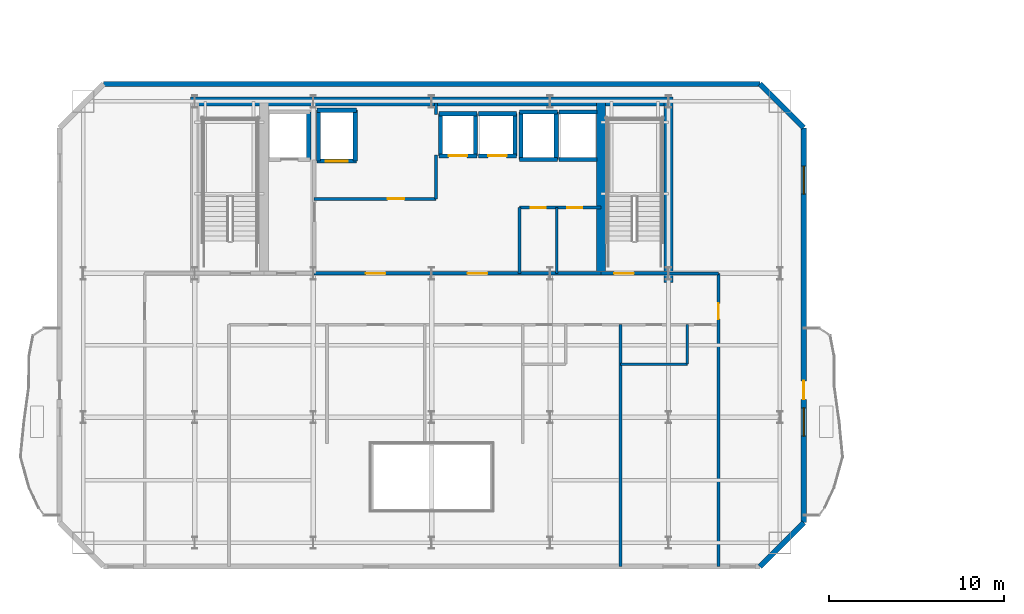
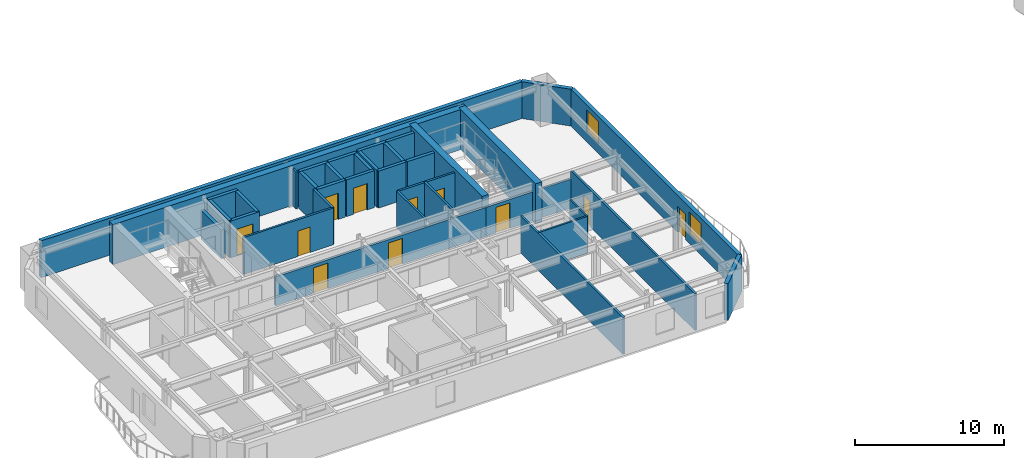
# One storey, part 6 of 13: 38 walls, 11 doors, 2 windows, 13 openings.
"""IFC4 building model written with IfcOpenShell, lengths in metres."""

from ifc_helpers import new_model, si_unit, direction, frame, frame_2d, origin, place, context, subcontext, project, spatial, rectangle, extrude, material, layer, layer_set, type_object, element, fill, save


model = new_model("IFC4")

# Units and contexts
model_context = context("Model", 3, precision=1e-05, world=origin(), true_north=direction((0.0, 1.0)))
body_context = subcontext(model_context, "Body", "Model", "MODEL_VIEW")
ifc_project = project(units=[si_unit("LENGTHUNIT", "METRE"), si_unit("AREAUNIT", "SQUARE_METRE"), si_unit("VOLUMEUNIT", "CUBIC_METRE"), si_unit("PLANEANGLEUNIT", "RADIAN"), si_unit("MASSUNIT", "GRAM", prefix="KILO")], contexts=[model_context])

# Site, building, storey
site_placement = place(None, origin())
site = spatial("IfcSite", under=ifc_project, at=site_placement, CompositionType="ELEMENT")
building_placement = place(site_placement, origin())
building = spatial("IfcBuilding", under=site, at=building_placement, Name="Haevon Station Towers", CompositionType="ELEMENT")
storey_placement = place(building_placement, frame((0.0, 0.0, 149.39990234375)))
storey = spatial("IfcBuildingStorey", under=building, at=storey_placement, Name="L40", CompositionType="ELEMENT", Elevation=149.39990234375)

# Wall, opening, door
ifc_material_1 = material(Name="Gypsum board on steel stud", Category="steel")
ifc_layer_1 = layer(ifc_material_1, 0.199951171875)
ifc_layer_set_1 = layer_set([ifc_layer_1], Name="Gypsum board on steel stud")
wall_type_1 = type_object("IfcWallType", Name="WL-COR200", PredefinedType="PARTITIONING", material=ifc_layer_set_1)
wall_1_placement = place(storey_placement, frame((47.14990234375, 38.199951171875, 0.0), z_axis=(0.0, 0.0, 1.0), x_axis=(1.0, 0.0, 0.0)))
wall_1 = element("IfcWall", 1, at=wall_1_placement, inside=storey, type_object=wall_type_1, Name="WL-ST-ST2-L40", PredefinedType="PARTITIONING", context=body_context, shape_type="SweptSolid", body=[
    extrude(rectangle(XDim=3.85009765625, YDim=0.199951171875, at=frame_2d((1.925048828125, 0.0))), origin(), (0.0, 0.0, 1.0), 2.380126953125),
])
opening_1_placement = place(wall_1_placement, frame((0.75, 0.0, 0.0)))
opening_1 = element("IfcOpeningElement", 2, at=opening_1_placement, cuts=wall_1, Name="Opening DR-ST-ST2-L40", PredefinedType="OPENING", context=body_context, shape_type="SweptSolid", body=[
    extrude(rectangle(XDim=1.1201171875, YDim=2.10009765625, at=frame_2d((0.56005859375, 1.050048828125))), frame((0.0, 0.10986328125, 0.0), z_axis=(0.0, -1.0, 0.0), x_axis=(1.0, 0.0, 0.0)), (0.0, 0.0, 1.0), 0.219970703125),
])
ifc_material_2 = material(Name="Engineered oak timber", Category="wood")
door_type_1 = type_object("IfcDoorType", Name="DR-ST-1120", OperationType="NOTDEFINED", PredefinedType="DOOR", material=ifc_material_2)
door_1_placement = place(opening_1_placement, origin())
door_1 = element("IfcDoor", 3, at=door_1_placement, inside=storey, type_object=door_type_1, Name="L40 Escape Stair ST2 Fire Door", OperationType="SINGLE_SWING_RIGHT", OverallHeight=2.10009765625, OverallWidth=1.1201171875, PredefinedType="DOOR", context=body_context, shape_type="SweptSolid", body=[
    extrude(rectangle(XDim=1.1201171875, YDim=2.10009765625, at=frame_2d((0.56005859375, 1.050048828125))), frame((0.0, 0.02490234375, 0.0), z_axis=(0.0, -1.0, 0.0), x_axis=(1.0, 0.0, 0.0)), (0.0, 0.0, 1.0), 0.050048828125),
])
fill(opening_1, door_1)

# Wall, openings, doors
wall_2_placement = place(storey_placement, frame((30.800048828125, 38.199951171875, 0.0), z_axis=(0.0, 0.0, 1.0), x_axis=(1.0, 0.0, 0.0)))
wall_2 = element("IfcWall", 4, at=wall_2_placement, inside=storey, type_object=wall_type_1, Name="WL-T1CLB-L40", PredefinedType="PARTITIONING", context=body_context, shape_type="SweptSolid", body=[
    extrude(rectangle(XDim=16.349853515625, YDim=0.199951171875, at=frame_2d((8.1748046875, 0.0))), origin(), (0.0, 0.0, 1.0), 2.380126953125),
])
opening_2_placement = place(wall_2_placement, frame((2.949951171875, 0.0, 0.0)))
opening_2 = element("IfcOpeningElement", 5, at=opening_2_placement, cuts=wall_2, Name="Opening DR-T1CLB-L40-1", PredefinedType="OPENING", context=body_context, shape_type="SweptSolid", body=[
    extrude(rectangle(XDim=1.1201171875, YDim=2.10009765625, at=frame_2d((0.56005859375, 1.050048828125))), frame((0.0, 0.10986328125, 0.0), z_axis=(0.0, -1.0, 0.0), x_axis=(1.0, 0.0, 0.0)), (0.0, 0.0, 1.0), 0.219970703125),
])
opening_3_placement = place(wall_2_placement, frame((8.75, 0.0, 0.0)))
opening_3 = element("IfcOpeningElement", 6, at=opening_3_placement, cuts=wall_2, Name="Opening DR-T1CLB-L40-2", PredefinedType="OPENING", context=body_context, shape_type="SweptSolid", body=[
    extrude(rectangle(XDim=1.1201171875, YDim=2.10009765625, at=frame_2d((0.56005859375, 1.050048828125))), frame((0.0, 0.10986328125, 0.0), z_axis=(0.0, -1.0, 0.0), x_axis=(1.0, 0.0, 0.0)), (0.0, 0.0, 1.0), 0.219970703125),
])
door_2_placement = place(opening_2_placement, origin())
door_2 = element("IfcDoor", 7, at=door_2_placement, inside=storey, type_object=door_type_1, Name="L40 Tower 1 Core Lift Lobby Door 1", OperationType="SINGLE_SWING_LEFT", OverallHeight=2.10009765625, OverallWidth=1.1201171875, PredefinedType="DOOR", context=body_context, shape_type="SweptSolid", body=[
    extrude(rectangle(XDim=1.1201171875, YDim=2.10009765625, at=frame_2d((0.56005859375, 1.050048828125))), frame((0.0, 0.02490234375, 0.0), z_axis=(0.0, -1.0, 0.0), x_axis=(1.0, 0.0, 0.0)), (0.0, 0.0, 1.0), 0.050048828125),
])
fill(opening_2, door_2)
door_3_placement = place(opening_3_placement, origin())
door_3 = element("IfcDoor", 8, at=door_3_placement, inside=storey, type_object=door_type_1, Name="L40 Tower 1 Core Lift Lobby Door 2", OperationType="SINGLE_SWING_RIGHT", OverallHeight=2.10009765625, OverallWidth=1.1201171875, PredefinedType="DOOR", context=body_context, shape_type="SweptSolid", body=[
    extrude(rectangle(XDim=1.1201171875, YDim=2.10009765625, at=frame_2d((0.56005859375, 1.050048828125))), frame((0.0, 0.02490234375, 0.0), z_axis=(0.0, -1.0, 0.0), x_axis=(1.0, 0.0, 0.0)), (0.0, 0.0, 1.0), 0.050048828125),
])
fill(opening_3, door_3)

# Walls
ifc_material_3 = material(Name="Concrete C60/75", Category="concrete")
ifc_layer_2 = layer(ifc_material_3, 0.5)
ifc_layer_set_2 = layer_set([ifc_layer_2], Name="Concrete C60/75")
wall_type_2 = type_object("IfcWallType", Name="WL-CR500", PredefinedType="SHEAR", material=ifc_layer_set_2)
wall_3_placement = place(storey_placement, frame((23.75, 48.0, 0.0), z_axis=(0.0, 0.0, 1.0), x_axis=(1.0, 0.0, 0.0)))
element("IfcWall", 9, at=wall_3_placement, inside=storey, type_object=wall_type_2, Name="WL-T1CR-L40-N", PredefinedType="SHEAR", context=body_context, shape_type="SweptSolid", body=[
    extrude(rectangle(XDim=27.5, YDim=0.5, at=frame_2d((13.75, 0.0))), origin(), (0.0, 0.0, 1.0), 3.300048828125),
])
wall_4_placement = place(storey_placement, frame((51.0, 37.679931640625, 0.0), z_axis=(0.0, 0.0, 1.0), x_axis=(0.0, 1.0, 0.0)))
element("IfcWall", 10, at=wall_4_placement, inside=storey, type_object=wall_type_2, Name="WL-T1CR-L40-E", PredefinedType="SHEAR", context=body_context, shape_type="SweptSolid", body=[
    extrude(rectangle(XDim=10.320068359375, YDim=0.5, at=frame_2d((5.16015625, 0.0))), origin(), (0.0, 0.0, 1.0), 3.300048828125),
])
wall_5_placement = place(storey_placement, frame((47.14990234375, 38.199951171875, 0.0), z_axis=(0.0, 0.0, 1.0), x_axis=(0.0, 1.0, 0.0)))
element("IfcWall", 11, at=wall_5_placement, inside=storey, type_object=wall_type_2, Name="WL-T1CR-L40-M2", PredefinedType="SHEAR", context=body_context, shape_type="SweptSolid", body=[
    extrude(rectangle(XDim=9.800048828125, YDim=0.5, at=frame_2d((4.89990234375, 0.0))), origin(), (0.0, 0.0, 1.0), 3.300048828125),
])
ifc_material_4 = material(Name="Precast concrete C45/55", Category="concrete")
ifc_layer_3 = layer(ifc_material_4, 0.300048828125)
ifc_layer_set_3 = layer_set([ifc_layer_3], Name="Precast concrete C45/55")
wall_type_3 = type_object("IfcWallType", Name="WL-EXT-PIER300", PredefinedType="SOLIDWALL", material=ifc_layer_set_3)
wall_6_placement = place(storey_placement, frame((18.800048828125, 49.0, 0.0), z_axis=(0.0, 0.0, 1.0), x_axis=(1.0, 0.0, 0.0)))
element("IfcWall", 12, at=wall_6_placement, inside=storey, type_object=wall_type_3, Name="WL-T1-L40-N", PredefinedType="SOLIDWALL", context=body_context, shape_type="SweptSolid", body=[
    extrude(rectangle(XDim=37.39990234375, YDim=0.300048828125, at=frame_2d((18.699951171875, 0.0))), origin(), (0.0, 0.0, 1.0), 3.030029296875),
])
wall_7_placement = place(storey_placement, frame((56.199951171875, 49.0, 0.0), z_axis=(0.0, 0.0, 1.0), x_axis=(0.707106781187, -0.707106781187, 0.0)))
element("IfcWall", 13, at=wall_7_placement, inside=storey, type_object=wall_type_3, Name="WL-T1-L40-NEC", PredefinedType="SOLIDWALL", context=body_context, shape_type="SweptSolid", body=[
    extrude(rectangle(XDim=3.53564453125, YDim=0.300048828125, at=frame_2d((1.767822265625, 0.0))), origin(), (0.0, 0.0, 1.0), 3.030029296875),
])

# Wall, openings, door, windows
wall_8_placement = place(storey_placement, frame((58.699951171875, 46.5, 0.0), z_axis=(0.0, 0.0, 1.0), x_axis=(0.0, -1.0, 0.0)))
wall_8 = element("IfcWall", 14, at=wall_8_placement, inside=storey, type_object=wall_type_3, Name="WL-T1-L40-E", PredefinedType="SOLIDWALL", context=body_context, shape_type="SweptSolid", body=[
    extrude(rectangle(XDim=22.5, YDim=0.300048828125, at=frame_2d((11.25, 0.0))), origin(), (0.0, 0.0, 1.0), 3.030029296875),
])
opening_4_placement = place(wall_8_placement, frame((14.425048828125, 0.0, 0.0)))
opening_4 = element("IfcOpeningElement", 15, at=opening_4_placement, cuts=wall_8, Name="Opening DR-T1-SCAL-L40-E", PredefinedType="OPENING", context=body_context, shape_type="SweptSolid", body=[
    extrude(rectangle(XDim=1.050048828125, YDim=2.10009765625, at=frame_2d((0.52490234375, 1.050048828125))), frame((0.0, 0.159912109375, 0.0), z_axis=(0.0, -1.0, 0.0), x_axis=(1.0, 0.0, 0.0)), (0.0, 0.0, 1.0), 0.320068359375),
])
opening_5_placement = place(wall_8_placement, frame((2.1787109375, 0.0, 0.800048828125)))
opening_5 = element("IfcOpeningElement", 16, at=opening_5_placement, cuts=wall_8, Name="Opening WN-END160", PredefinedType="OPENING", context=body_context, shape_type="SweptSolid", body=[
    extrude(rectangle(XDim=1.60009765625, YDim=1.800048828125, at=frame_2d((0.800048828125, 0.89990234375))), frame((0.0, 0.159912109375, 0.0), z_axis=(0.0, -1.0, 0.0), x_axis=(1.0, 0.0, 0.0)), (0.0, 0.0, 1.0), 0.320068359375),
])
opening_6_placement = place(wall_8_placement, frame((15.96435546875, 0.0, 0.800048828125)))
opening_6 = element("IfcOpeningElement", 17, at=opening_6_placement, cuts=wall_8, Name="Opening WN-END160", PredefinedType="OPENING", context=body_context, shape_type="SweptSolid", body=[
    extrude(rectangle(XDim=1.60009765625, YDim=1.800048828125, at=frame_2d((0.800048828125, 0.89990234375))), frame((0.0, 0.159912109375, 0.0), z_axis=(0.0, -1.0, 0.0), x_axis=(1.0, 0.0, 0.0)), (0.0, 0.0, 1.0), 0.320068359375),
])
ifc_material_5 = material(Name="Thermally broken anodised aluminium and laminated safety glass", Category="aluminium")
door_type_2 = type_object("IfcDoorType", Name="DR-BALC-1050", OperationType="NOTDEFINED", PredefinedType="DOOR", material=ifc_material_5)
door_4_placement = place(opening_4_placement, origin())
door_4 = element("IfcDoor", 18, at=door_4_placement, inside=storey, type_object=door_type_2, Name="Tower 1 L40 East Scalloped Balcony Door", OperationType="SINGLE_SWING_LEFT", OverallHeight=2.10009765625, OverallWidth=1.050048828125, PredefinedType="DOOR", context=body_context, shape_type="SweptSolid", body=[
    extrude(rectangle(XDim=1.050048828125, YDim=2.10009765625, at=frame_2d((0.52490234375, 1.050048828125))), frame((0.0, 0.02490234375, 0.0), z_axis=(0.0, -1.0, 0.0), x_axis=(1.0, 0.0, 0.0)), (0.0, 0.0, 1.0), 0.050048828125),
])
fill(opening_4, door_4)
ifc_material_6 = material(Name="Low-E triple glazing in thermally broken aluminium", Category="aluminium")
window_type = type_object("IfcWindowType", Name="WN-END160", PartitioningType="SINGLE_PANEL", PredefinedType="WINDOW", material=ifc_material_6)
window_1_placement = place(opening_5_placement, origin())
window_1 = element("IfcWindow", 19, at=window_1_placement, inside=storey, type_object=window_type, Name="WN-T1-L40-E01", OverallHeight=1.800048828125, OverallWidth=1.60009765625, PartitioningType="SINGLE_PANEL", PredefinedType="WINDOW", context=body_context, shape_type="SweptSolid", body=[
    extrude(rectangle(XDim=1.60009765625, YDim=1.800048828125, at=frame_2d((0.800048828125, 0.89990234375))), frame((0.0, 0.030029296875, 0.0), z_axis=(0.0, -1.0, 0.0), x_axis=(1.0, 0.0, 0.0)), (0.0, 0.0, 1.0), 0.06005859375),
])
fill(opening_5, window_1)
window_2_placement = place(opening_6_placement, origin())
window_2 = element("IfcWindow", 20, at=window_2_placement, inside=storey, type_object=window_type, Name="WN-T1-L40-E02", OverallHeight=1.800048828125, OverallWidth=1.60009765625, PartitioningType="SINGLE_PANEL", PredefinedType="WINDOW", context=body_context, shape_type="SweptSolid", body=[
    extrude(rectangle(XDim=1.60009765625, YDim=1.800048828125, at=frame_2d((0.800048828125, 0.89990234375))), frame((0.0, 0.030029296875, 0.0), z_axis=(0.0, -1.0, 0.0), x_axis=(1.0, 0.0, 0.0)), (0.0, 0.0, 1.0), 0.06005859375),
])
fill(opening_6, window_2)

# Walls
wall_9_placement = place(storey_placement, frame((58.699951171875, 24.0, 0.0), z_axis=(0.0, 0.0, 1.0), x_axis=(-0.707106781187, -0.707106781187, 0.0)))
element("IfcWall", 21, at=wall_9_placement, inside=storey, type_object=wall_type_3, Name="WL-T1-L40-SEC", PredefinedType="SOLIDWALL", context=body_context, shape_type="SweptSolid", body=[
    extrude(rectangle(XDim=3.53564453125, YDim=0.300048828125, at=frame_2d((1.767822265625, 0.0))), origin(), (0.0, 0.0, 1.0), 3.030029296875),
])
ifc_layer_4 = layer(ifc_material_1, 0.125)
ifc_layer_set_4 = layer_set([ifc_layer_4], Name="Gypsum board on steel stud")
wall_type_4 = type_object("IfcWallType", Name="WL-PRT125", PredefinedType="PARTITIONING", material=ifc_layer_set_4)
wall_10_placement = place(storey_placement, frame((52.070068359375, 33.030029296875, 0.0), z_axis=(0.0, 0.0, 1.0), x_axis=(0.0, 1.0, 0.0)))
element("IfcWall", 22, at=wall_10_placement, inside=storey, type_object=wall_type_4, Name="WL-T1PT-L40-19", PredefinedType="PARTITIONING", context=body_context, shape_type="SweptSolid", body=[
    extrude(rectangle(XDim=2.25, YDim=0.125, at=frame_2d((1.125, 0.0))), origin(), (0.0, 0.0, 1.0), 3.030029296875),
])
ifc_layer_5 = layer(ifc_material_1, 0.139892578125)
ifc_layer_set_5 = layer_set([ifc_layer_5], Name="Gypsum board on steel stud")
wall_type_5 = type_object("IfcWallType", Name="WL-PRT140", PredefinedType="PARTITIONING", material=ifc_layer_set_5)
wall_11_placement = place(storey_placement, frame((48.27001953125, 33.030029296875, 0.0), z_axis=(0.0, 0.0, 1.0), x_axis=(1.0, 0.0, 0.0)))
element("IfcWall", 23, at=wall_11_placement, inside=storey, type_object=wall_type_5, Name="WL-T1PT-L40-18", PredefinedType="PARTITIONING", context=body_context, shape_type="SweptSolid", body=[
    extrude(rectangle(XDim=3.800048828125, YDim=0.139892578125, at=frame_2d((1.89990234375, 0.0))), origin(), (0.0, 0.0, 1.0), 3.030029296875),
])

# Wall, opening, door
ifc_layer_6 = layer(ifc_material_1, 0.159912109375)
ifc_layer_set_6 = layer_set([ifc_layer_6], Name="Gypsum board on steel stud")
wall_type_6 = type_object("IfcWallType", Name="WL-PRT160", PredefinedType="PARTITIONING", material=ifc_layer_set_6)
wall_12_placement = place(storey_placement, frame((30.800048828125, 42.449951171875, 0.0), z_axis=(0.0, 0.0, 1.0), x_axis=(1.0, 0.0, 0.0)))
wall_12 = element("IfcWall", 24, at=wall_12_placement, inside=storey, type_object=wall_type_6, Name="WL-T1CW-L40-01", PredefinedType="PARTITIONING", context=body_context, shape_type="SweptSolid", body=[
    extrude(rectangle(XDim=6.949951171875, YDim=0.159912109375, at=frame_2d((3.47509765625, 0.0))), origin(), (0.0, 0.0, 1.0), 3.030029296875),
])
opening_7_placement = place(wall_12_placement, frame((4.199951171875, 0.0, 0.0)))
opening_7 = element("IfcOpeningElement", 25, at=opening_7_placement, cuts=wall_12, Name="Opening DR-WL-T1CW-L40-01-1", PredefinedType="OPENING", context=body_context, shape_type="SweptSolid", body=[
    extrude(rectangle(XDim=0.949951171875, YDim=2.10009765625, at=frame_2d((0.47509765625, 1.050048828125))), frame((0.0, 0.08984375, 0.0), z_axis=(0.0, -1.0, 0.0), x_axis=(1.0, 0.0, 0.0)), (0.0, 0.0, 1.0), 0.179931640625),
])
door_type_3 = type_object("IfcDoorType", Name="DR-FD60-950", OperationType="NOTDEFINED", PredefinedType="DOOR", material=ifc_material_2)
door_5_placement = place(opening_7_placement, origin())
door_5 = element("IfcDoor", 26, at=door_5_placement, inside=storey, type_object=door_type_3, Name="L40 Tower 1 Core Room Door 1-1", OperationType="SINGLE_SWING_LEFT", OverallHeight=2.10009765625, OverallWidth=0.949951171875, PredefinedType="DOOR", context=body_context, shape_type="SweptSolid", body=[
    extrude(rectangle(XDim=0.949951171875, YDim=2.10009765625, at=frame_2d((0.47509765625, 1.050048828125))), frame((0.0, 0.02490234375, 0.0), z_axis=(0.0, -1.0, 0.0), x_axis=(1.0, 0.0, 0.0)), (0.0, 0.0, 1.0), 0.050048828125),
])
fill(opening_7, door_5)

# Walls
wall_13_placement = place(storey_placement, frame((37.75, 42.449951171875, 0.0), z_axis=(0.0, 0.0, 1.0), x_axis=(0.0, 1.0, 0.0)))
element("IfcWall", 27, at=wall_13_placement, inside=storey, type_object=wall_type_6, Name="WL-T1CW-L40-02", PredefinedType="PARTITIONING", context=body_context, shape_type="SweptSolid", body=[
    extrude(rectangle(XDim=2.5, YDim=0.159912109375, at=frame_2d((1.25, 0.0))), origin(), (0.0, 0.0, 1.0), 3.030029296875),
])
wall_14_placement = place(storey_placement, frame((37.75, 47.25, 0.0), z_axis=(0.0, 0.0, 1.0), x_axis=(0.0, 1.0, 0.0)))
element("IfcWall", 28, at=wall_14_placement, inside=storey, type_object=wall_type_6, Name="WL-T1CW-L40-03", PredefinedType="PARTITIONING", context=body_context, shape_type="SweptSolid", body=[
    extrude(rectangle(XDim=0.64990234375, YDim=0.159912109375, at=frame_2d((0.324951171875, 0.0))), origin(), (0.0, 0.0, 1.0), 3.030029296875),
])
for number, where, z_axis, x_axis, name in (
    (29, (42.5, 38.199951171875, 0.0), (0.0, 0.0, 1.0), (0.0, 1.0, 0.0), "WL-T1CW-L40-04"),
    (30, (44.6298828125, 38.199951171875, 0.0), (0.0, 0.0, 1.0), (0.0, 1.0, 0.0), "WL-T1CW-L40-05"),
):
    element("IfcWall", number, at=place(storey_placement, frame(where, z_axis=z_axis, x_axis=x_axis)), inside=storey, type_object=wall_type_6, Name=name, PredefinedType="PARTITIONING", context=body_context, shape_type="SweptSolid", body=[
        extrude(rectangle(XDim=3.75, YDim=0.159912109375, at=frame_2d((1.875, 0.0))), origin(), (0.0, 0.0, 1.0), 3.030029296875),
    ])

# Wall, openings, doors
wall_15_placement = place(storey_placement, frame((42.5, 41.949951171875, 0.0), z_axis=(0.0, 0.0, 1.0), x_axis=(1.0, 0.0, 0.0)))
wall_15 = element("IfcWall", 31, at=wall_15_placement, inside=storey, type_object=wall_type_6, Name="WL-T1CW-L40-06", PredefinedType="PARTITIONING", context=body_context, shape_type="SweptSolid", body=[
    extrude(rectangle(XDim=4.64990234375, YDim=0.159912109375, at=frame_2d((2.324951171875, 0.0))), origin(), (0.0, 0.0, 1.0), 3.030029296875),
])
opening_8_placement = place(wall_15_placement, frame((0.659912109375, 0.0, 0.0)))
opening_8 = element("IfcOpeningElement", 32, at=opening_8_placement, cuts=wall_15, Name="Opening DR-WL-T1CW-L40-06-1", PredefinedType="OPENING", context=body_context, shape_type="SweptSolid", body=[
    extrude(rectangle(XDim=0.85009765625, YDim=2.050048828125, at=frame_2d((0.425048828125, 1.02490234375))), frame((0.0, 0.08984375, 0.0), z_axis=(0.0, -1.0, 0.0), x_axis=(1.0, 0.0, 0.0)), (0.0, 0.0, 1.0), 0.179931640625),
])
opening_9_placement = place(wall_15_placement, frame((2.72998046875, 0.0, 0.0)))
opening_9 = element("IfcOpeningElement", 33, at=opening_9_placement, cuts=wall_15, Name="Opening DR-WL-T1CW-L40-06-2", PredefinedType="OPENING", context=body_context, shape_type="SweptSolid", body=[
    extrude(rectangle(XDim=0.85009765625, YDim=2.050048828125, at=frame_2d((0.425048828125, 1.02490234375))), frame((0.0, 0.08984375, 0.0), z_axis=(0.0, -1.0, 0.0), x_axis=(1.0, 0.0, 0.0)), (0.0, 0.0, 1.0), 0.179931640625),
])
door_type_4 = type_object("IfcDoorType", Name="DR-FD30-850", OperationType="NOTDEFINED", PredefinedType="DOOR", material=ifc_material_2)
door_6_placement = place(opening_8_placement, origin())
door_6 = element("IfcDoor", 34, at=door_6_placement, inside=storey, type_object=door_type_4, Name="L40 Tower 1 Core Room Door 6-1", OperationType="SINGLE_SWING_RIGHT", OverallHeight=2.050048828125, OverallWidth=0.85009765625, PredefinedType="DOOR", context=body_context, shape_type="SweptSolid", body=[
    extrude(rectangle(XDim=0.85009765625, YDim=2.050048828125, at=frame_2d((0.425048828125, 1.02490234375))), frame((0.0, 0.02490234375, 0.0), z_axis=(0.0, -1.0, 0.0), x_axis=(1.0, 0.0, 0.0)), (0.0, 0.0, 1.0), 0.050048828125),
])
fill(opening_8, door_6)
door_7_placement = place(opening_9_placement, origin())
door_7 = element("IfcDoor", 35, at=door_7_placement, inside=storey, type_object=door_type_4, Name="L40 Tower 1 Core Room Door 6-2", OperationType="SINGLE_SWING_LEFT", OverallHeight=2.050048828125, OverallWidth=0.85009765625, PredefinedType="DOOR", context=body_context, shape_type="SweptSolid", body=[
    extrude(rectangle(XDim=0.85009765625, YDim=2.050048828125, at=frame_2d((0.425048828125, 1.02490234375))), frame((0.0, 0.02490234375, 0.0), z_axis=(0.0, -1.0, 0.0), x_axis=(1.0, 0.0, 0.0)), (0.0, 0.0, 1.0), 0.050048828125),
])
fill(opening_9, door_7)

# Wall
wall_16_placement = place(storey_placement, frame((51.0, 38.199951171875, 0.0), z_axis=(0.0, 0.0, 1.0), x_axis=(1.0, 0.0, 0.0)))
element("IfcWall", 36, at=wall_16_placement, inside=storey, type_object=wall_type_6, Name="WL-T1PT-L40-03", PredefinedType="PARTITIONING", context=body_context, shape_type="SweptSolid", body=[
    extrude(rectangle(XDim=2.85009765625, YDim=0.159912109375, at=frame_2d((1.425048828125, 0.0))), origin(), (0.0, 0.0, 1.0), 2.380126953125),
])

# Wall, opening, door
wall_17_placement = place(storey_placement, frame((53.85009765625, 21.5, 0.0), z_axis=(0.0, 0.0, 1.0), x_axis=(0.0, 1.0, 0.0)))
wall_17 = element("IfcWall", 37, at=wall_17_placement, inside=storey, type_object=wall_type_6, Name="WL-T1PT-L40-05", PredefinedType="PARTITIONING", context=body_context, shape_type="SweptSolid", body=[
    extrude(rectangle(XDim=16.699951171875, YDim=0.159912109375, at=frame_2d((8.35009765625, 0.0))), origin(), (0.0, 0.0, 1.0), 3.030029296875),
])
opening_10_placement = place(wall_17_placement, frame((14.10009765625, 0.0, 0.0)))
opening_10 = element("IfcOpeningElement", 38, at=opening_10_placement, cuts=wall_17, Name="Opening DR-WL-T1PT-L40-05-01", PredefinedType="OPENING", context=body_context, shape_type="SweptSolid", body=[
    extrude(rectangle(XDim=0.89990234375, YDim=2.050048828125, at=frame_2d((0.449951171875, 1.02490234375))), frame((0.0, 0.08984375, 0.0), z_axis=(0.0, -1.0, 0.0), x_axis=(1.0, 0.0, 0.0)), (0.0, 0.0, 1.0), 0.179931640625),
])
door_type_5 = type_object("IfcDoorType", Name="DR-INT-900", OperationType="NOTDEFINED", PredefinedType="DOOR", material=ifc_material_2)
door_8_placement = place(opening_10_placement, origin())
door_8 = element("IfcDoor", 39, at=door_8_placement, inside=storey, type_object=door_type_5, Name="L40 Tower 1 Room Door 5-1", OperationType="SINGLE_SWING_LEFT", OverallHeight=2.050048828125, OverallWidth=0.89990234375, PredefinedType="DOOR", context=body_context, shape_type="SweptSolid", body=[
    extrude(rectangle(XDim=0.89990234375, YDim=2.050048828125, at=frame_2d((0.449951171875, 1.02490234375))), frame((0.0, 0.02490234375, 0.0), z_axis=(0.0, -1.0, 0.0), x_axis=(1.0, 0.0, 0.0)), (0.0, 0.0, 1.0), 0.050048828125),
])
fill(opening_10, door_8)

# Walls
wall_18_placement = place(storey_placement, frame((48.27001953125, 21.5, 0.0), z_axis=(0.0, 0.0, 1.0), x_axis=(0.0, 1.0, 0.0)))
element("IfcWall", 40, at=wall_18_placement, inside=storey, type_object=wall_type_6, Name="WL-T1PT-L40-17", PredefinedType="PARTITIONING", context=body_context, shape_type="SweptSolid", body=[
    extrude(rectangle(XDim=13.780029296875, YDim=0.159912109375, at=frame_2d((6.89013671875, 0.0))), origin(), (0.0, 0.0, 1.0), 3.030029296875),
])
ifc_material_7 = material(Name="Concrete C40/50", Category="concrete")
ifc_layer_7 = layer(ifc_material_7, 0.239990234375)
ifc_layer_set_7 = layer_set([ifc_layer_7], Name="Concrete C40/50")
wall_type_7 = type_object("IfcWallType", Name="WL-SHF240", PredefinedType="PARTITIONING", material=ifc_layer_set_7)
wall_19_placement = place(storey_placement, frame((30.5, 44.699951171875, 0.0), z_axis=(0.0, 0.0, 1.0), x_axis=(0.0, 1.0, 0.0)))
element("IfcWall", 41, at=wall_19_placement, inside=storey, type_object=wall_type_7, Name="WL-SHF-FL1-L40-E", PredefinedType="PARTITIONING", context=body_context, shape_type="SweptSolid", body=[
    extrude(rectangle(XDim=2.699951171875, YDim=0.239990234375, at=frame_2d((1.35009765625, 0.0))), origin(), (0.0, 0.0, 1.0), 2.380126953125),
])

# Wall, opening, door
wall_20_placement = place(storey_placement, frame((30.969970703125, 44.60009765625, 0.0), z_axis=(0.0, 0.0, 1.0), x_axis=(1.0, 0.0, 0.0)))
wall_20 = element("IfcWall", 42, at=wall_20_placement, inside=storey, type_object=wall_type_7, Name="WL-SHF-SL1-L40", PredefinedType="PARTITIONING", context=body_context, shape_type="SweptSolid", body=[
    extrude(rectangle(XDim=2.260009765625, YDim=0.239990234375, at=frame_2d((1.1298828125, 0.0))), origin(), (0.0, 0.0, 1.0), 3.030029296875),
])
opening_11_placement = place(wall_20_placement, frame((0.5048828125, 0.0, 0.0)))
opening_11 = element("IfcOpeningElement", 43, at=opening_11_placement, cuts=wall_20, Name="Opening LD-SL1-L40", PredefinedType="OPENING", context=body_context, shape_type="SweptSolid", body=[
    extrude(rectangle(XDim=1.25, YDim=2.199951171875, at=frame_2d((0.625, 1.10009765625))), frame((0.0, 0.1298828125, 0.0), z_axis=(0.0, -1.0, 0.0), x_axis=(1.0, 0.0, 0.0)), (0.0, 0.0, 1.0), 0.260009765625),
])
ifc_material_8 = material(Name="Stainless steel and rated core", Category="steel")
door_type_6 = type_object("IfcDoorType", Name="LD-SL1250", OperationType="SLIDING_TO_LEFT", PredefinedType="DOOR", material=ifc_material_8)
door_9_placement = place(opening_11_placement, origin())
door_9 = element("IfcDoor", 44, at=door_9_placement, inside=storey, type_object=door_type_6, Name="L40 Lift SL1 Sliding Landing Door", OperationType="SLIDING_TO_LEFT", OverallHeight=2.199951171875, OverallWidth=1.25, PredefinedType="DOOR", context=body_context, shape_type="SweptSolid", body=[
    extrude(rectangle(XDim=1.25, YDim=2.199951171875, at=frame_2d((0.625, 1.10009765625))), frame((0.0, 0.02490234375, 0.0), z_axis=(0.0, -1.0, 0.0), x_axis=(1.0, 0.0, 0.0)), (0.0, 0.0, 1.0), 0.050048828125),
])
fill(opening_11, door_9)

# Walls
wall_21_placement = place(storey_placement, frame((30.969970703125, 47.5, 0.0), z_axis=(0.0, 0.0, 1.0), x_axis=(1.0, 0.0, 0.0)))
element("IfcWall", 45, at=wall_21_placement, inside=storey, type_object=wall_type_7, Name="WL-SHF-SL1-L40-N", PredefinedType="PARTITIONING", context=body_context, shape_type="SweptSolid", body=[
    extrude(rectangle(XDim=2.260009765625, YDim=0.239990234375, at=frame_2d((1.1298828125, 0.0))), origin(), (0.0, 0.0, 1.0), 3.030029296875),
])
for number, where, z_axis, x_axis, name in (
    (46, (31.050048828125, 44.60009765625, 0.0), (0.0, 0.0, 1.0), (0.0, 1.0, 0.0), "WL-SHF-SL1-L40-W"),
    (47, (33.14990234375, 44.60009765625, 0.0), (0.0, 0.0, 1.0), (0.0, 1.0, 0.0), "WL-SHF-SL1-L40-E"),
):
    element("IfcWall", number, at=place(storey_placement, frame(where, z_axis=z_axis, x_axis=x_axis)), inside=storey, type_object=wall_type_7, Name=name, PredefinedType="PARTITIONING", context=body_context, shape_type="SweptSolid", body=[
        extrude(rectangle(XDim=2.89990234375, YDim=0.239990234375, at=frame_2d((1.449951171875, 0.0))), origin(), (0.0, 0.0, 1.0), 3.030029296875),
    ])

# Wall, opening, door
wall_22_placement = place(storey_placement, frame((37.919921875, 44.89990234375, 0.0), z_axis=(0.0, 0.0, 1.0), x_axis=(1.0, 0.0, 0.0)))
wall_22 = element("IfcWall", 48, at=wall_22_placement, inside=storey, type_object=wall_type_7, Name="WL-SHF-PL3-L40", PredefinedType="PARTITIONING", context=body_context, shape_type="SweptSolid", body=[
    extrude(rectangle(XDim=2.16015625, YDim=0.239990234375, at=frame_2d((1.080078125, 0.0))), origin(), (0.0, 0.0, 1.0), 3.030029296875),
])
opening_12_placement = place(wall_22_placement, frame((0.554931640625, 0.0, 0.0)))
opening_12 = element("IfcOpeningElement", 49, at=opening_12_placement, cuts=wall_22, Name="Opening LD-PL3-L40", PredefinedType="OPENING", context=body_context, shape_type="SweptSolid", body=[
    extrude(rectangle(XDim=1.050048828125, YDim=2.14990234375, at=frame_2d((0.52490234375, 1.074951171875))), frame((0.0, 0.1298828125, 0.0), z_axis=(0.0, -1.0, 0.0), x_axis=(1.0, 0.0, 0.0)), (0.0, 0.0, 1.0), 0.260009765625),
])
door_type_7 = type_object("IfcDoorType", Name="LD-PL1050", OperationType="SLIDING_TO_LEFT", PredefinedType="DOOR", material=ifc_material_8)
door_10_placement = place(opening_12_placement, origin())
door_10 = element("IfcDoor", 50, at=door_10_placement, inside=storey, type_object=door_type_7, Name="L40 Lift PL3 Sliding Landing Door", OperationType="SLIDING_TO_LEFT", OverallHeight=2.14990234375, OverallWidth=1.050048828125, PredefinedType="DOOR", context=body_context, shape_type="SweptSolid", body=[
    extrude(rectangle(XDim=1.050048828125, YDim=2.14990234375, at=frame_2d((0.52490234375, 1.074951171875))), frame((0.0, 0.02490234375, 0.0), z_axis=(0.0, -1.0, 0.0), x_axis=(1.0, 0.0, 0.0)), (0.0, 0.0, 1.0), 0.050048828125),
])
fill(opening_12, door_10)

# Walls
wall_23_placement = place(storey_placement, frame((37.919921875, 47.300048828125, 0.0), z_axis=(0.0, 0.0, 1.0), x_axis=(1.0, 0.0, 0.0)))
element("IfcWall", 51, at=wall_23_placement, inside=storey, type_object=wall_type_7, Name="WL-SHF-PL3-L40-N", PredefinedType="PARTITIONING", context=body_context, shape_type="SweptSolid", body=[
    extrude(rectangle(XDim=2.16015625, YDim=0.239990234375, at=frame_2d((1.080078125, 0.0))), origin(), (0.0, 0.0, 1.0), 3.030029296875),
])
for number, where, z_axis, x_axis, name in (
    (52, (38.0, 44.89990234375, 0.0), (0.0, 0.0, 1.0), (0.0, 1.0, 0.0), "WL-SHF-PL3-L40-W"),
    (53, (40.0, 44.89990234375, 0.0), (0.0, 0.0, 1.0), (0.0, 1.0, 0.0), "WL-SHF-PL3-L40-E"),
):
    element("IfcWall", number, at=place(storey_placement, frame(where, z_axis=z_axis, x_axis=x_axis)), inside=storey, type_object=wall_type_7, Name=name, PredefinedType="PARTITIONING", context=body_context, shape_type="SweptSolid", body=[
        extrude(rectangle(XDim=2.400146484375, YDim=0.239990234375, at=frame_2d((1.2001953125, 0.0))), origin(), (0.0, 0.0, 1.0), 3.030029296875),
    ])

# Wall, opening, door
wall_24_placement = place(storey_placement, frame((40.169921875, 44.89990234375, 0.0), z_axis=(0.0, 0.0, 1.0), x_axis=(1.0, 0.0, 0.0)))
wall_24 = element("IfcWall", 54, at=wall_24_placement, inside=storey, type_object=wall_type_7, Name="WL-SHF-PL4-L40", PredefinedType="PARTITIONING", context=body_context, shape_type="SweptSolid", body=[
    extrude(rectangle(XDim=2.16015625, YDim=0.239990234375, at=frame_2d((1.080078125, 0.0))), origin(), (0.0, 0.0, 1.0), 3.030029296875),
])
opening_13_placement = place(wall_24_placement, frame((0.554931640625, 0.0, 0.0)))
opening_13 = element("IfcOpeningElement", 55, at=opening_13_placement, cuts=wall_24, Name="Opening LD-PL4-L40", PredefinedType="OPENING", context=body_context, shape_type="SweptSolid", body=[
    extrude(rectangle(XDim=1.050048828125, YDim=2.14990234375, at=frame_2d((0.52490234375, 1.074951171875))), frame((0.0, 0.1298828125, 0.0), z_axis=(0.0, -1.0, 0.0), x_axis=(1.0, 0.0, 0.0)), (0.0, 0.0, 1.0), 0.260009765625),
])
door_11_placement = place(opening_13_placement, origin())
door_11 = element("IfcDoor", 56, at=door_11_placement, inside=storey, type_object=door_type_7, Name="L40 Lift PL4 Sliding Landing Door", OperationType="SLIDING_TO_LEFT", OverallHeight=2.14990234375, OverallWidth=1.050048828125, PredefinedType="DOOR", context=body_context, shape_type="SweptSolid", body=[
    extrude(rectangle(XDim=1.050048828125, YDim=2.14990234375, at=frame_2d((0.52490234375, 1.074951171875))), frame((0.0, 0.02490234375, 0.0), z_axis=(0.0, -1.0, 0.0), x_axis=(1.0, 0.0, 0.0)), (0.0, 0.0, 1.0), 0.050048828125),
])
fill(opening_13, door_11)

# Walls
wall_25_placement = place(storey_placement, frame((40.169921875, 47.300048828125, 0.0), z_axis=(0.0, 0.0, 1.0), x_axis=(1.0, 0.0, 0.0)))
element("IfcWall", 57, at=wall_25_placement, inside=storey, type_object=wall_type_7, Name="WL-SHF-PL4-L40-N", PredefinedType="PARTITIONING", context=body_context, shape_type="SweptSolid", body=[
    extrude(rectangle(XDim=2.16015625, YDim=0.239990234375, at=frame_2d((1.080078125, 0.0))), origin(), (0.0, 0.0, 1.0), 3.030029296875),
])
wall_26_placement = place(storey_placement, frame((42.25, 44.89990234375, 0.0), z_axis=(0.0, 0.0, 1.0), x_axis=(0.0, 1.0, 0.0)))
element("IfcWall", 58, at=wall_26_placement, inside=storey, type_object=wall_type_7, Name="WL-SHF-PL4-L40-E", PredefinedType="PARTITIONING", context=body_context, shape_type="SweptSolid", body=[
    extrude(rectangle(XDim=2.400146484375, YDim=0.239990234375, at=frame_2d((1.2001953125, 0.0))), origin(), (0.0, 0.0, 1.0), 3.030029296875),
])
for number, where, z_axis, x_axis, name in (
    (59, (42.52001953125, 44.699951171875, 0.0), (0.0, 0.0, 1.0), (1.0, 0.0, 0.0), "WL-SHF-PL5-L40"),
    (60, (42.52001953125, 47.39990234375, 0.0), (0.0, 0.0, 1.0), (1.0, 0.0, 0.0), "WL-SHF-PL5-L40-N"),
):
    element("IfcWall", number, at=place(storey_placement, frame(where, z_axis=z_axis, x_axis=x_axis)), inside=storey, type_object=wall_type_7, Name=name, PredefinedType="PARTITIONING", context=body_context, shape_type="SweptSolid", body=[
        extrude(rectangle(XDim=2.159912109375, YDim=0.239990234375, at=frame_2d((1.080078125, 0.0))), origin(), (0.0, 0.0, 1.0), 3.030029296875),
    ])
for number, where, z_axis, x_axis, name in (
    (61, (42.60009765625, 44.699951171875, 0.0), (0.0, 0.0, 1.0), (0.0, 1.0, 0.0), "WL-SHF-PL5-L40-W"),
    (62, (44.60009765625, 44.699951171875, 0.0), (0.0, 0.0, 1.0), (0.0, 1.0, 0.0), "WL-SHF-PL5-L40-E"),
):
    element("IfcWall", number, at=place(storey_placement, frame(where, z_axis=z_axis, x_axis=x_axis)), inside=storey, type_object=wall_type_7, Name=name, PredefinedType="PARTITIONING", context=body_context, shape_type="SweptSolid", body=[
        extrude(rectangle(XDim=2.699951171875, YDim=0.239990234375, at=frame_2d((1.35009765625, 0.0))), origin(), (0.0, 0.0, 1.0), 3.030029296875),
    ])
for number, where, z_axis, x_axis, name in (
    (63, (44.77001953125, 44.699951171875, 0.0), (0.0, 0.0, 1.0), (1.0, 0.0, 0.0), "WL-SHF-PL6-L40"),
    (64, (44.77001953125, 47.39990234375, 0.0), (0.0, 0.0, 1.0), (1.0, 0.0, 0.0), "WL-SHF-PL6-L40-N"),
):
    element("IfcWall", number, at=place(storey_placement, frame(where, z_axis=z_axis, x_axis=x_axis)), inside=storey, type_object=wall_type_7, Name=name, PredefinedType="PARTITIONING", context=body_context, shape_type="SweptSolid", body=[
        extrude(rectangle(XDim=2.159912109375, YDim=0.239990234375, at=frame_2d((1.080078125, 0.0))), origin(), (0.0, 0.0, 1.0), 3.030029296875),
    ])

save(model, "model.ifc")
